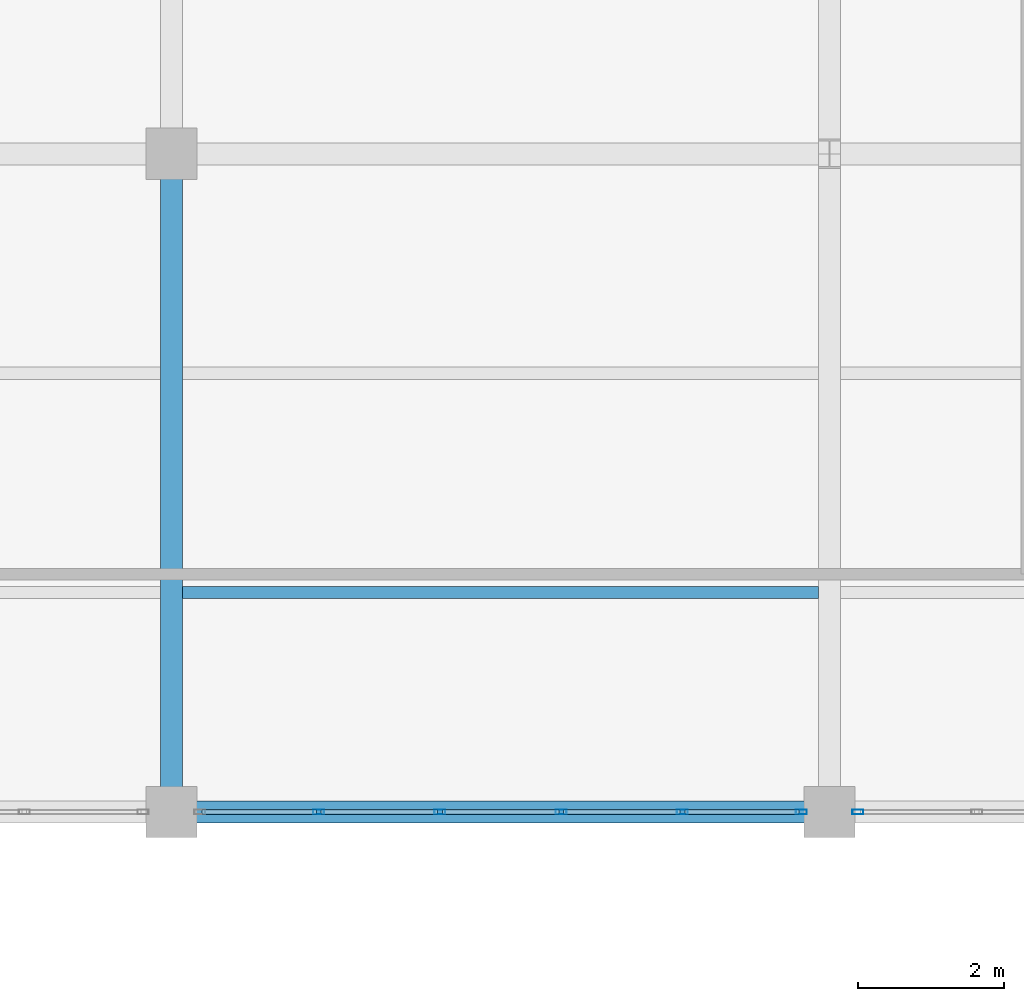
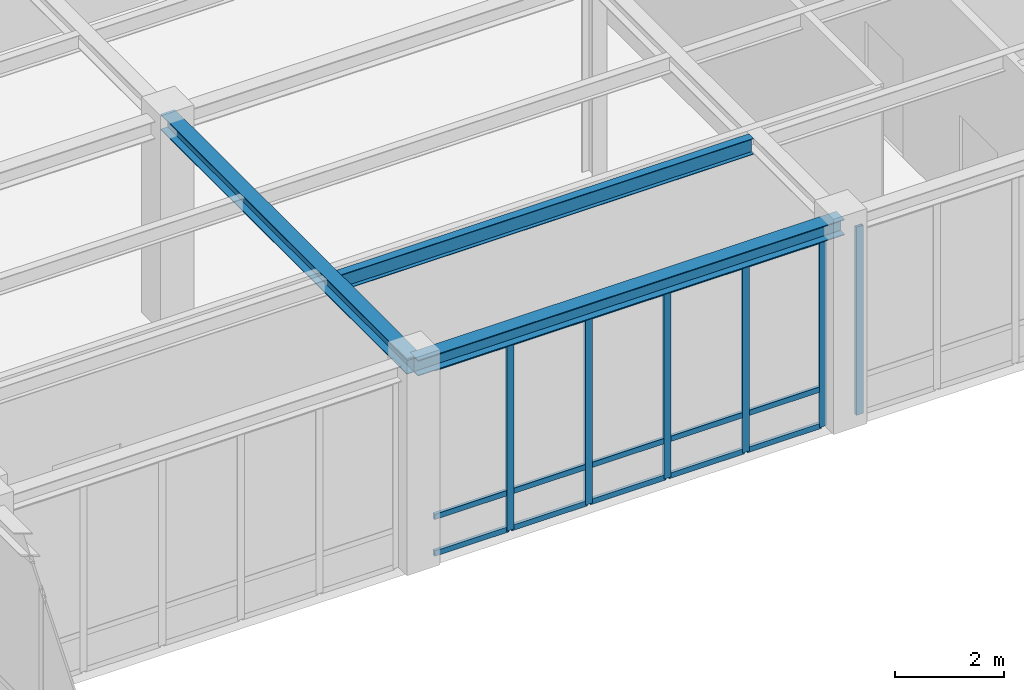
# One storey, part 62 of 92: 21 members, 3 beams, 2 elements without a shape of their own.
"""IFC4 building model written with IfcOpenShell, lengths in metres."""

from ifc_helpers import new_model, si_unit, direction, frame, origin, origin_2d, place, context, subcontext, project, spatial, hollow_rectangle, i_section, extrude, material, material_profile, profile_set, type_object, element, aggregate, save


model = new_model("IFC4")

# Units and contexts
model_context = context("Model", 3, precision=1e-05, world=origin(), true_north=direction((0.0, 1.0)))
body_context = subcontext(model_context, "Body", "Model", "MODEL_VIEW")
ifc_project = project(units=[si_unit("LENGTHUNIT", "METRE"), si_unit("AREAUNIT", "SQUARE_METRE"), si_unit("VOLUMEUNIT", "CUBIC_METRE"), si_unit("PLANEANGLEUNIT", "RADIAN"), si_unit("MASSUNIT", "GRAM", prefix="KILO")], contexts=[model_context])

# Site, building, storey
site_placement = place(None, origin())
site = spatial("IfcSite", under=ifc_project, at=site_placement, CompositionType="ELEMENT")
building_placement = place(site_placement, origin())
building = spatial("IfcBuilding", under=site, at=building_placement, Name="Lykobir Media Centre", CompositionType="ELEMENT")
storey_placement = place(building_placement, frame((0.0, 0.0, 5.39990234375)))
storey = spatial("IfcBuildingStorey", under=building, at=storey_placement, Name="L01", CompositionType="ELEMENT", Elevation=5.39990234375)

# Beam
ifc_material_1 = material(Name="Steel S355", Category="steel")
ifc_material_profile_1 = material_profile(ifc_material_1, i_section(OverallWidth=0.300048828125, OverallDepth=0.35009765625, WebThickness=0.010009765625, FlangeThickness=0.017578125, at=origin_2d()), Name="HEA 360")
ifc_profile_set_1 = profile_set([ifc_material_profile_1], Name="Steel S355")
beam_type_1 = type_object("IfcBeamType", Name="BM-HEA360", PredefinedType="BEAM", material=ifc_profile_set_1)
beam_1_placement = place(storey_placement, frame((108.0, 72.0, 4.385009765625), z_axis=(0.0, 1.0, 0.0), x_axis=(-1.0, 0.0, 0.0)))
element("IfcBeam", 1, at=beam_1_placement, inside=storey, type_object=beam_type_1, Name="Beam BM-L01-1080-0720-1080-0810-978", PredefinedType="BEAM", context=body_context, shape_type="SweptSolid", body=[
    extrude(i_section(OverallWidth=0.300048828125, OverallDepth=0.35009765625, WebThickness=0.010009765625, FlangeThickness=0.017578125, at=origin_2d()), origin(), (0.0, 0.0, 1.0), 9.0),
])

# Curtain wall, members
ifc_material_2 = material(Name="Anodized Aluminium AW-6060", Category="aluminium")
curtain_wall_type = type_object("IfcCurtainWallType", Name="CW-COURT-A", PredefinedType="NOTDEFINED", material=ifc_material_2)
curtain_wall_1_placement = place(storey_placement, origin())
curtain_wall_1 = element("IfcCurtainWall", 2, at=curtain_wall_1_placement, inside=storey, type_object=curtain_wall_type, Name="Curtain wall CW2-L01-0071", PredefinedType="NOTDEFINED")
ifc_material_profile_2 = material_profile(ifc_material_2, hollow_rectangle(XDim=0.06494140625, YDim=0.14990234375, WallThickness=0.00341796875, at=origin_2d()), Name="ALU MULLION 65x150")
ifc_profile_set_2 = profile_set([ifc_material_profile_2], Name="Anodized Aluminium AW-6060")
member_type_1 = type_object("IfcMemberType", Name="CWM-150", PredefinedType="MULLION", material=ifc_profile_set_2)
member_1_placement = place(storey_placement, frame((116.612548828125, 72.0, 0.0), z_axis=(0.0, 0.0, 1.0), x_axis=(0.0, -1.0, 0.0)))
member_1 = element("IfcMember", 3, at=member_1_placement, type_object=member_type_1, Name="CW2-L01-0071 mullion 1", PredefinedType="MULLION", context=body_context, shape_type="SweptSolid", body=[
    extrude(hollow_rectangle(XDim=0.06494140625, YDim=0.14990234375, WallThickness=0.00341796875, at=origin_2d()), origin(), (0.0, 0.0, 1.0), 4.195068359375),
])
member_2_placement = place(storey_placement, frame((114.987060546875, 72.0, 0.0), z_axis=(0.0, 0.0, 1.0), x_axis=(0.0, -1.0, 0.0)))
member_2 = element("IfcMember", 4, at=member_2_placement, type_object=member_type_1, Name="CW2-L01-0071 mullion 2", PredefinedType="MULLION", context=body_context, shape_type="SweptSolid", body=[
    extrude(hollow_rectangle(XDim=0.06494140625, YDim=0.14990234375, WallThickness=0.00341796875, at=origin_2d()), origin(), (0.0, 0.0, 1.0), 4.195068359375),
])
member_3_placement = place(storey_placement, frame((113.3291015625, 72.0, 0.0), z_axis=(0.0, 0.0, 1.0), x_axis=(0.0, -1.0, 0.0)))
member_3 = element("IfcMember", 5, at=member_3_placement, type_object=member_type_1, Name="CW2-L01-0071 mullion 3", PredefinedType="MULLION", context=body_context, shape_type="SweptSolid", body=[
    extrude(hollow_rectangle(XDim=0.06494140625, YDim=0.14990234375, WallThickness=0.00341796875, at=origin_2d()), origin(), (0.0, 0.0, 1.0), 4.195068359375),
])
member_4_placement = place(storey_placement, frame((111.6708984375, 72.0, 0.0), z_axis=(0.0, 0.0, 1.0), x_axis=(0.0, -1.0, 0.0)))
member_4 = element("IfcMember", 6, at=member_4_placement, type_object=member_type_1, Name="CW2-L01-0071 mullion 4", PredefinedType="MULLION", context=body_context, shape_type="SweptSolid", body=[
    extrude(hollow_rectangle(XDim=0.06494140625, YDim=0.14990234375, WallThickness=0.00341796875, at=origin_2d()), origin(), (0.0, 0.0, 1.0), 4.195068359375),
])
member_5_placement = place(storey_placement, frame((110.012939453125, 72.0, 0.0), z_axis=(0.0, 0.0, 1.0), x_axis=(0.0, -1.0, 0.0)))
member_5 = element("IfcMember", 7, at=member_5_placement, type_object=member_type_1, Name="CW2-L01-0071 mullion 5", PredefinedType="MULLION", context=body_context, shape_type="SweptSolid", body=[
    extrude(hollow_rectangle(XDim=0.06494140625, YDim=0.14990234375, WallThickness=0.00341796875, at=origin_2d()), origin(), (0.0, 0.0, 1.0), 4.195068359375),
])

# Curtain wall, member
curtain_wall_2_placement = place(storey_placement, origin())
curtain_wall_2 = element("IfcCurtainWall", 8, at=curtain_wall_2_placement, inside=storey, type_object=curtain_wall_type, Name="Curtain wall CW2-L01-0072", PredefinedType="NOTDEFINED")
member_6_placement = place(storey_placement, frame((117.387451171875, 72.0, 0.0), z_axis=(0.0, 0.0, 1.0), x_axis=(0.0, -1.0, 0.0)))
member_6 = element("IfcMember", 9, at=member_6_placement, type_object=member_type_1, Name="CW2-L01-0072 mullion 6", PredefinedType="MULLION", context=body_context, shape_type="SweptSolid", body=[
    extrude(hollow_rectangle(XDim=0.06494140625, YDim=0.14990234375, WallThickness=0.00341796875, at=origin_2d()), origin(), (0.0, 0.0, 1.0), 4.195068359375),
])
aggregate(curtain_wall_2, [member_6])

# Member
ifc_material_profile_3 = material_profile(ifc_material_2, hollow_rectangle(XDim=0.06494140625, YDim=0.1201171875, WallThickness=0.0029296875, at=origin_2d()), Name="ALU TRANSOM 65x120")
ifc_profile_set_3 = profile_set([ifc_material_profile_3], Name="Anodized Aluminium AW-6060")
member_type_2 = type_object("IfcMemberType", Name="CWT-120", PredefinedType="USERDEFINED", material=ifc_profile_set_3)
member_7_placement = place(storey_placement, frame((116.580078125, 72.0, 0.03271484375), z_axis=(-1.0, 0.0, 0.0), x_axis=(0.0, -1.0, 0.0)))
member_7 = element("IfcMember", 10, at=member_7_placement, type_object=member_type_2, Name="CW2-L01-0071 transom 1.1", ObjectType="TRANSOM", PredefinedType="USERDEFINED", context=body_context, shape_type="SweptSolid", body=[
    extrude(hollow_rectangle(XDim=0.06494140625, YDim=0.1201171875, WallThickness=0.0029296875, at=origin_2d()), origin(), (0.0, 0.0, 1.0), 1.560546875),
])

member_8_placement = place(storey_placement, frame((116.580078125, 72.0, 0.85009765625), z_axis=(-1.0, 0.0, 0.0), x_axis=(0.0, -1.0, 0.0)))
member_8 = element("IfcMember", 11, at=member_8_placement, type_object=member_type_2, Name="CW2-L01-0071 transom 1.2", ObjectType="TRANSOM", PredefinedType="USERDEFINED", context=body_context, shape_type="SweptSolid", body=[
    extrude(hollow_rectangle(XDim=0.06494140625, YDim=0.1201171875, WallThickness=0.0029296875, at=origin_2d()), origin(), (0.0, 0.0, 1.0), 1.560546875),
])

member_9_placement = place(storey_placement, frame((116.580078125, 72.0, 4.16259765625), z_axis=(-1.0, 0.0, 0.0), x_axis=(0.0, -1.0, 0.0)))
member_9 = element("IfcMember", 12, at=member_9_placement, type_object=member_type_2, Name="CW2-L01-0071 transom 1.3", ObjectType="TRANSOM", PredefinedType="USERDEFINED", context=body_context, shape_type="SweptSolid", body=[
    extrude(hollow_rectangle(XDim=0.06494140625, YDim=0.1201171875, WallThickness=0.0029296875, at=origin_2d()), origin(), (0.0, 0.0, 1.0), 1.560546875),
])

member_10_placement = place(storey_placement, frame((114.95458984375, 72.0, 0.03271484375), z_axis=(-1.0, 0.0, 0.0), x_axis=(0.0, -1.0, 0.0)))
member_10 = element("IfcMember", 13, at=member_10_placement, type_object=member_type_2, Name="CW2-L01-0071 transom 2.1", ObjectType="TRANSOM", PredefinedType="USERDEFINED", context=body_context, shape_type="SweptSolid", body=[
    extrude(hollow_rectangle(XDim=0.06494140625, YDim=0.1201171875, WallThickness=0.0029296875, at=origin_2d()), origin(), (0.0, 0.0, 1.0), 1.593017578125),
])

member_11_placement = place(storey_placement, frame((114.95458984375, 72.0, 0.85009765625), z_axis=(-1.0, 0.0, 0.0), x_axis=(0.0, -1.0, 0.0)))
member_11 = element("IfcMember", 14, at=member_11_placement, type_object=member_type_2, Name="CW2-L01-0071 transom 2.2", ObjectType="TRANSOM", PredefinedType="USERDEFINED", context=body_context, shape_type="SweptSolid", body=[
    extrude(hollow_rectangle(XDim=0.06494140625, YDim=0.1201171875, WallThickness=0.0029296875, at=origin_2d()), origin(), (0.0, 0.0, 1.0), 1.593017578125),
])

member_12_placement = place(storey_placement, frame((114.95458984375, 72.0, 4.16259765625), z_axis=(-1.0, 0.0, 0.0), x_axis=(0.0, -1.0, 0.0)))
member_12 = element("IfcMember", 15, at=member_12_placement, type_object=member_type_2, Name="CW2-L01-0071 transom 2.3", ObjectType="TRANSOM", PredefinedType="USERDEFINED", context=body_context, shape_type="SweptSolid", body=[
    extrude(hollow_rectangle(XDim=0.06494140625, YDim=0.1201171875, WallThickness=0.0029296875, at=origin_2d()), origin(), (0.0, 0.0, 1.0), 1.593017578125),
])

member_13_placement = place(storey_placement, frame((113.29638671875, 72.0, 0.03271484375), z_axis=(-1.0, 0.0, 0.0), x_axis=(0.0, -1.0, 0.0)))
member_13 = element("IfcMember", 16, at=member_13_placement, type_object=member_type_2, Name="CW2-L01-0071 transom 3.1", ObjectType="TRANSOM", PredefinedType="USERDEFINED", context=body_context, shape_type="SweptSolid", body=[
    extrude(hollow_rectangle(XDim=0.06494140625, YDim=0.1201171875, WallThickness=0.0029296875, at=origin_2d()), origin(), (0.0, 0.0, 1.0), 1.5927734375),
])

member_14_placement = place(storey_placement, frame((113.29638671875, 72.0, 0.85009765625), z_axis=(-1.0, 0.0, 0.0), x_axis=(0.0, -1.0, 0.0)))
member_14 = element("IfcMember", 17, at=member_14_placement, type_object=member_type_2, Name="CW2-L01-0071 transom 3.2", ObjectType="TRANSOM", PredefinedType="USERDEFINED", context=body_context, shape_type="SweptSolid", body=[
    extrude(hollow_rectangle(XDim=0.06494140625, YDim=0.1201171875, WallThickness=0.0029296875, at=origin_2d()), origin(), (0.0, 0.0, 1.0), 1.5927734375),
])

member_15_placement = place(storey_placement, frame((113.29638671875, 72.0, 4.16259765625), z_axis=(-1.0, 0.0, 0.0), x_axis=(0.0, -1.0, 0.0)))
member_15 = element("IfcMember", 18, at=member_15_placement, type_object=member_type_2, Name="CW2-L01-0071 transom 3.3", ObjectType="TRANSOM", PredefinedType="USERDEFINED", context=body_context, shape_type="SweptSolid", body=[
    extrude(hollow_rectangle(XDim=0.06494140625, YDim=0.1201171875, WallThickness=0.0029296875, at=origin_2d()), origin(), (0.0, 0.0, 1.0), 1.5927734375),
])

member_16_placement = place(storey_placement, frame((111.638427734375, 72.0, 0.03271484375), z_axis=(-1.0, 0.0, 0.0), x_axis=(0.0, -1.0, 0.0)))
member_16 = element("IfcMember", 19, at=member_16_placement, type_object=member_type_2, Name="CW2-L01-0071 transom 4.1", ObjectType="TRANSOM", PredefinedType="USERDEFINED", context=body_context, shape_type="SweptSolid", body=[
    extrude(hollow_rectangle(XDim=0.06494140625, YDim=0.1201171875, WallThickness=0.0029296875, at=origin_2d()), origin(), (0.0, 0.0, 1.0), 1.593017578125),
])

member_17_placement = place(storey_placement, frame((111.638427734375, 72.0, 0.85009765625), z_axis=(-1.0, 0.0, 0.0), x_axis=(0.0, -1.0, 0.0)))
member_17 = element("IfcMember", 20, at=member_17_placement, type_object=member_type_2, Name="CW2-L01-0071 transom 4.2", ObjectType="TRANSOM", PredefinedType="USERDEFINED", context=body_context, shape_type="SweptSolid", body=[
    extrude(hollow_rectangle(XDim=0.06494140625, YDim=0.1201171875, WallThickness=0.0029296875, at=origin_2d()), origin(), (0.0, 0.0, 1.0), 1.593017578125),
])

member_18_placement = place(storey_placement, frame((111.638427734375, 72.0, 4.16259765625), z_axis=(-1.0, 0.0, 0.0), x_axis=(0.0, -1.0, 0.0)))
member_18 = element("IfcMember", 21, at=member_18_placement, type_object=member_type_2, Name="CW2-L01-0071 transom 4.3", ObjectType="TRANSOM", PredefinedType="USERDEFINED", context=body_context, shape_type="SweptSolid", body=[
    extrude(hollow_rectangle(XDim=0.06494140625, YDim=0.1201171875, WallThickness=0.0029296875, at=origin_2d()), origin(), (0.0, 0.0, 1.0), 1.593017578125),
])

member_19_placement = place(storey_placement, frame((109.98046875, 72.0, 0.03271484375), z_axis=(-1.0, 0.0, 0.0), x_axis=(0.0, -1.0, 0.0)))
member_19 = element("IfcMember", 22, at=member_19_placement, type_object=member_type_2, Name="CW2-L01-0071 transom 5.1", ObjectType="TRANSOM", PredefinedType="USERDEFINED", context=body_context, shape_type="SweptSolid", body=[
    extrude(hollow_rectangle(XDim=0.06494140625, YDim=0.1201171875, WallThickness=0.0029296875, at=origin_2d()), origin(), (0.0, 0.0, 1.0), 1.560546875),
])

member_20_placement = place(storey_placement, frame((109.98046875, 72.0, 0.85009765625), z_axis=(-1.0, 0.0, 0.0), x_axis=(0.0, -1.0, 0.0)))
member_20 = element("IfcMember", 23, at=member_20_placement, type_object=member_type_2, Name="CW2-L01-0071 transom 5.2", ObjectType="TRANSOM", PredefinedType="USERDEFINED", context=body_context, shape_type="SweptSolid", body=[
    extrude(hollow_rectangle(XDim=0.06494140625, YDim=0.1201171875, WallThickness=0.0029296875, at=origin_2d()), origin(), (0.0, 0.0, 1.0), 1.560546875),
])

member_21_placement = place(storey_placement, frame((109.98046875, 72.0, 4.16259765625), z_axis=(-1.0, 0.0, 0.0), x_axis=(0.0, -1.0, 0.0)))
member_21 = element("IfcMember", 24, at=member_21_placement, type_object=member_type_2, Name="CW2-L01-0071 transom 5.3", ObjectType="TRANSOM", PredefinedType="USERDEFINED", context=body_context, shape_type="SweptSolid", body=[
    extrude(hollow_rectangle(XDim=0.06494140625, YDim=0.1201171875, WallThickness=0.0029296875, at=origin_2d()), origin(), (0.0, 0.0, 1.0), 1.560546875),
])

aggregate(curtain_wall_1, [member_1, member_2, member_3, member_4, member_5, member_7, member_8, member_9, member_10, member_11, member_12, member_13, member_14, member_15, member_16, member_17, member_18, member_19, member_20, member_21])

# Beams
ifc_material_profile_4 = material_profile(ifc_material_1, i_section(OverallWidth=0.169921875, OverallDepth=0.360107421875, WebThickness=0.008056640625, FlangeThickness=0.0126953125, at=origin_2d()), Name="IPE 360")
ifc_profile_set_4 = profile_set([ifc_material_profile_4], Name="Steel S355")
beam_type_2 = type_object("IfcBeamType", Name="JS-IPE360", PredefinedType="JOIST", material=ifc_profile_set_4)
beam_2_placement = place(storey_placement, frame((108.14990234375, 75.0, 4.380126953125), z_axis=(1.0, 0.0, 0.0), x_axis=(0.0, 1.0, 0.0)))
element("IfcBeam", 25, at=beam_2_placement, inside=storey, type_object=beam_type_2, Name="Beam BM-L01-1082-0750-1168-0750-978", PredefinedType="JOIST", context=body_context, shape_type="SweptSolid", body=[
    extrude(i_section(OverallWidth=0.169921875, OverallDepth=0.360107421875, WebThickness=0.008056640625, FlangeThickness=0.0126953125, at=origin_2d()), origin(), (0.0, 0.0, 1.0), 8.7001953125),
])
ifc_material_profile_5 = material_profile(ifc_material_1, i_section(OverallWidth=0.300048828125, OverallDepth=0.35009765625, WebThickness=0.010009765625, FlangeThickness=0.017578125, at=origin_2d()), Name="HEA 360")
ifc_profile_set_5 = profile_set([ifc_material_profile_5], Name="Steel S355")
beam_type_3 = type_object("IfcBeamType", Name="SP-HEA360", PredefinedType="SPANDREL", material=ifc_profile_set_5)
beam_3_placement = place(storey_placement, frame((108.0, 72.0, 4.385009765625), z_axis=(1.0, 0.0, 0.0), x_axis=(0.0, 1.0, 0.0)))
element("IfcBeam", 26, at=beam_3_placement, inside=storey, type_object=beam_type_3, Name="Beam BM-L01-1080-0720-1170-0720-978", PredefinedType="SPANDREL", context=body_context, shape_type="SweptSolid", body=[
    extrude(i_section(OverallWidth=0.300048828125, OverallDepth=0.35009765625, WebThickness=0.010009765625, FlangeThickness=0.017578125, at=origin_2d()), origin(), (0.0, 0.0, 1.0), 9.0),
])

save(model, "model.ifc")
